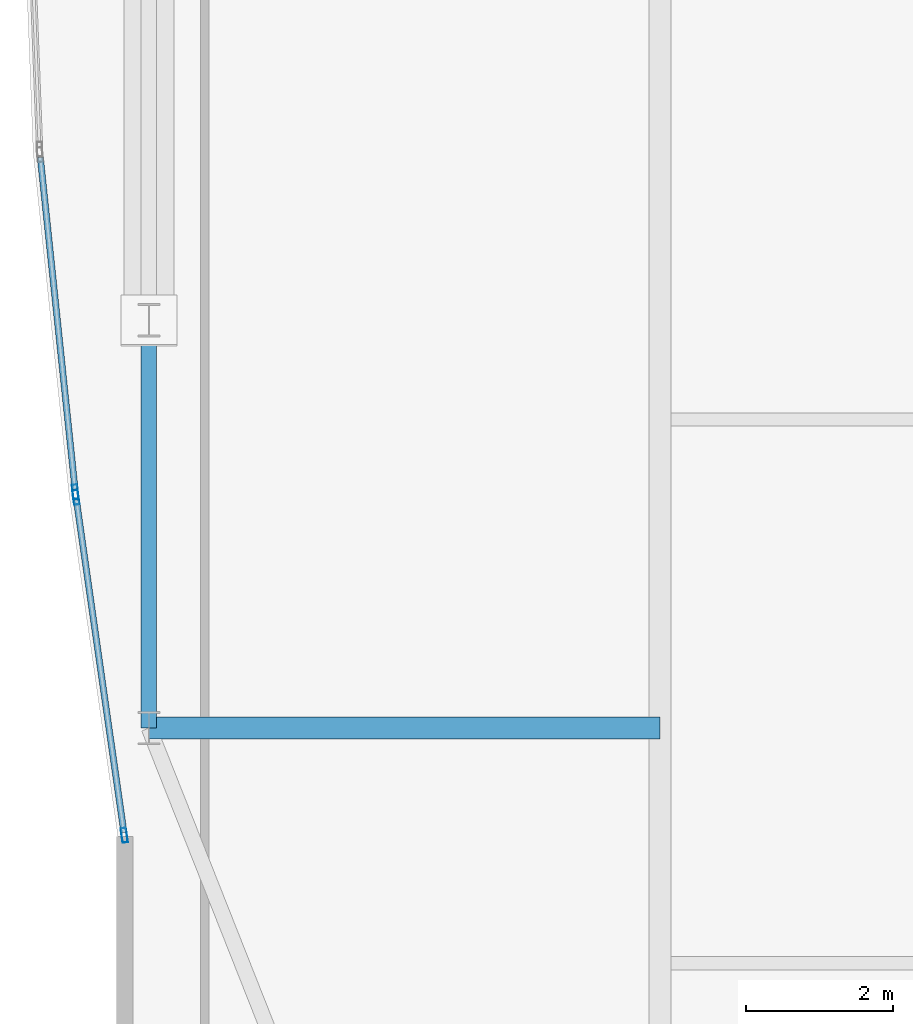
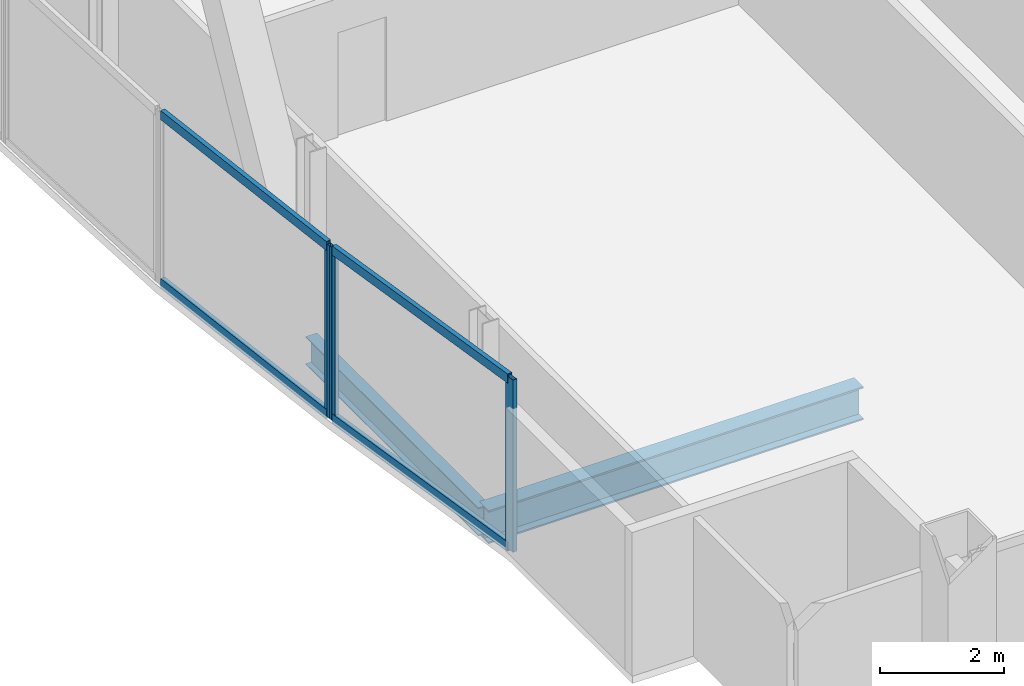
# One storey, part 5 of 29: 7 members, 2 beams, 2 elements without a shape of their own.
"""IFC4 building model written with IfcOpenShell, lengths in metres."""

from ifc_helpers import new_model, si_unit, direction, frame, origin, origin_2d, place, context, subcontext, project, spatial, hollow_rectangle, i_section, extrude, material, material_profile, profile_set, type_object, element, aggregate, save


model = new_model("IFC4")

# Units and contexts
model_context = context("Model", 3, precision=1e-05, world=origin(), true_north=direction((0.0, 1.0)))
body_context = subcontext(model_context, "Body", "Model", "MODEL_VIEW")
ifc_project = project(units=[si_unit("LENGTHUNIT", "METRE"), si_unit("AREAUNIT", "SQUARE_METRE"), si_unit("VOLUMEUNIT", "CUBIC_METRE"), si_unit("PLANEANGLEUNIT", "RADIAN"), si_unit("MASSUNIT", "GRAM", prefix="KILO")], contexts=[model_context])

# Site, building, storey
site_placement = place(None, origin())
site = spatial("IfcSite", under=ifc_project, at=site_placement, CompositionType="ELEMENT")
building_placement = place(site_placement, origin())
building = spatial("IfcBuilding", under=site, at=building_placement, Name="Khoronbel Lancet Exchange", CompositionType="ELEMENT")
storey_placement = place(building_placement, frame((0.0, 0.0, 302.199951171875)))
storey = spatial("IfcBuildingStorey", under=building, at=storey_placement, Name="L78", CompositionType="ELEMENT", Elevation=302.199951171875)

# Beams
ifc_material_1 = material(Name="Steel S355", Category="steel")
ifc_material_profile_1 = material_profile(ifc_material_1, i_section(OverallWidth=0.300048828125, OverallDepth=0.64990234375, WebThickness=0.01611328125, FlangeThickness=0.031005859375, at=origin_2d()), Name="HEB 650")
ifc_profile_set_1 = profile_set([ifc_material_profile_1], Name="Steel S355")
beam_type_1 = type_object("IfcBeamType", Name="BM-BG4", PredefinedType="BEAM", material=ifc_profile_set_1)
beam_1_placement = place(storey_placement, frame((11.27001953125, 19.199951171875, -0.48486328125), z_axis=(1.0, 0.0, 0.0), x_axis=(0.0, 1.0, 0.0)))
element("IfcBeam", 1, at=beam_1_placement, inside=storey, type_object=beam_type_1, Name="Level L78 west lens tie girder LG1W", PredefinedType="BEAM", context=body_context, shape_type="SweptSolid", body=[
    extrude(i_section(OverallWidth=0.300048828125, OverallDepth=0.64990234375, WebThickness=0.01611328125, FlangeThickness=0.031005859375, at=origin_2d()), origin(), (0.0, 0.0, 1.0), 6.955078125),
])
ifc_material_profile_2 = material_profile(ifc_material_1, i_section(OverallWidth=0.2099609375, OverallDepth=0.550048828125, WebThickness=0.010986328125, FlangeThickness=0.01708984375, at=origin_2d()), Name="IPE 550")
ifc_profile_set_2 = profile_set([ifc_material_profile_2], Name="Steel S355")
beam_type_2 = type_object("IfcBeamType", Name="BM-BSP3", PredefinedType="SPANDREL", material=ifc_profile_set_2)
beam_2_placement = place(storey_placement, frame((11.27001953125, 24.75, -0.43505859375), z_axis=(0.0, -1.0, 0.0), x_axis=(1.0, 0.0, 0.0)))
element("IfcBeam", 2, at=beam_2_placement, inside=storey, type_object=beam_type_2, Name="Level L78 perimeter spandrel beam SP20", PredefinedType="SPANDREL", context=body_context, shape_type="SweptSolid", body=[
    extrude(i_section(OverallWidth=0.2099609375, OverallDepth=0.550048828125, WebThickness=0.010986328125, FlangeThickness=0.01708984375, at=origin_2d()), origin(), (0.0, 0.0, 1.0), 5.550048828125),
])

# Curtain wall, members
ifc_material_2 = material(Name="Low-E Solar Control Insulating Glass", Category="glass")
curtain_wall_type = type_object("IfcCurtainWallType", Name="CW-4", PredefinedType="NOTDEFINED", material=ifc_material_2)
curtain_wall_1_placement = place(storey_placement, origin())
curtain_wall_1 = element("IfcCurtainWall", 3, at=curtain_wall_1_placement, inside=storey, type_object=curtain_wall_type, Name="Unitised curtain wall CW-L78-E04", PredefinedType="NOTDEFINED")
ifc_material_3 = material(Name="Bronze-Anodised Aluminium 6063-T6", Category="aluminium")
ifc_material_profile_3 = material_profile(ifc_material_3, hollow_rectangle(XDim=0.074951171875, YDim=0.199951171875, WallThickness=0.0048828125, at=origin_2d()), Name="ALU MULLION 75x200")
ifc_profile_set_3 = profile_set([ifc_material_profile_3], Name="Bronze-Anodised Aluminium 6063-T6")
member_type_1 = type_object("IfcMemberType", Name="MEM-CWM2", PredefinedType="MULLION", material=ifc_profile_set_3)
member_1_placement = place(storey_placement, frame((10.9345703125, 17.743408203125, 0.0), z_axis=(0.0, 0.0, 1.0), x_axis=(-0.989929988267, -0.141557826802, 0.0)))
member_1 = element("IfcMember", 4, at=member_1_placement, type_object=member_type_1, Name="CW4 mullion 1", PredefinedType="MULLION", context=body_context, shape_type="SweptSolid", body=[
    extrude(hollow_rectangle(XDim=0.074951171875, YDim=0.199951171875, WallThickness=0.0048828125, at=origin_2d()), origin(), (0.0, 0.0, 1.0), 3.380126953125),
])
member_2_placement = place(storey_placement, frame((10.27734375, 22.340576171875, 0.0), z_axis=(0.0, 0.0, 1.0), x_axis=(-0.989929988267, -0.141557826802, 0.0)))
member_2 = element("IfcMember", 5, at=member_2_placement, type_object=member_type_1, Name="CW4 mullion 2", PredefinedType="MULLION", context=body_context, shape_type="SweptSolid", body=[
    extrude(hollow_rectangle(XDim=0.074951171875, YDim=0.199951171875, WallThickness=0.0048828125, at=origin_2d()), origin(), (0.0, 0.0, 1.0), 3.380126953125),
])

# Curtain wall, member
curtain_wall_2_placement = place(storey_placement, origin())
curtain_wall_2 = element("IfcCurtainWall", 6, at=curtain_wall_2_placement, inside=storey, type_object=curtain_wall_type, Name="Unitised curtain wall CW-L78-E05", PredefinedType="NOTDEFINED")
member_3_placement = place(storey_placement, frame((10.26806640625, 22.4150390625, 0.0), z_axis=(0.0, 0.0, 1.0), x_axis=(-0.994563630588, -0.104130613712, 0.0)))
member_3 = element("IfcMember", 7, at=member_3_placement, type_object=member_type_1, Name="CW4 mullion 1", PredefinedType="MULLION", context=body_context, shape_type="SweptSolid", body=[
    extrude(hollow_rectangle(XDim=0.074951171875, YDim=0.199951171875, WallThickness=0.0048828125, at=origin_2d()), origin(), (0.0, 0.0, 1.0), 3.380126953125),
])

# Member
ifc_material_profile_4 = material_profile(ifc_material_3, hollow_rectangle(XDim=0.0849609375, YDim=0.179931640625, WallThickness=0.0048828125, at=origin_2d()), Name="ALU TRANSOM 85x180")
ifc_profile_set_4 = profile_set([ifc_material_profile_4], Name="Bronze-Anodised Aluminium 6063-T6")
member_type_2 = type_object("IfcMemberType", Name="MEM-CWT1", PredefinedType="USERDEFINED", material=ifc_profile_set_4)
member_4_placement = place(storey_placement, frame((10.929443359375, 17.78076171875, 0.04248046875), z_axis=(-0.141556017505, 0.989930246991, 0.0), x_axis=(-0.989930246991, -0.141556017505, 0.0)))
member_4 = element("IfcMember", 8, at=member_4_placement, type_object=member_type_2, Name="CW4 transom 1.1", ObjectType="TRANSOM", PredefinedType="USERDEFINED", context=body_context, shape_type="SweptSolid", body=[
    extrude(hollow_rectangle(XDim=0.0849609375, YDim=0.179931640625, WallThickness=0.0048828125, at=origin_2d()), origin(), (0.0, 0.0, 1.0), 4.568603515625),
])

member_5_placement = place(storey_placement, frame((10.929443359375, 17.78076171875, 3.337646484375), z_axis=(-0.141556017505, 0.989930246991, 0.0), x_axis=(-0.989930246991, -0.141556017505, 0.0)))
member_5 = element("IfcMember", 9, at=member_5_placement, type_object=member_type_2, Name="CW4 transom 1.2", ObjectType="TRANSOM", PredefinedType="USERDEFINED", context=body_context, shape_type="SweptSolid", body=[
    extrude(hollow_rectangle(XDim=0.0849609375, YDim=0.179931640625, WallThickness=0.0048828125, at=origin_2d()), origin(), (0.0, 0.0, 1.0), 4.568603515625),
])

aggregate(curtain_wall_1, [member_1, member_2, member_4, member_5])

member_6_placement = place(storey_placement, frame((10.26416015625, 22.452392578125, 0.04248046875), z_axis=(-0.104116184177, 0.994565141251, 0.0), x_axis=(-0.994565141251, -0.104116184177, 0.0)))
member_6 = element("IfcMember", 10, at=member_6_placement, type_object=member_type_2, Name="CW4 transom 1.1", ObjectType="TRANSOM", PredefinedType="USERDEFINED", context=body_context, shape_type="SweptSolid", body=[
    extrude(hollow_rectangle(XDim=0.0849609375, YDim=0.179931640625, WallThickness=0.0048828125, at=origin_2d()), origin(), (0.0, 0.0, 1.0), 4.537353515625),
])

member_7_placement = place(storey_placement, frame((10.26416015625, 22.452392578125, 3.337646484375), z_axis=(-0.104116184177, 0.994565141251, 0.0), x_axis=(-0.994565141251, -0.104116184177, 0.0)))
member_7 = element("IfcMember", 11, at=member_7_placement, type_object=member_type_2, Name="CW4 transom 1.2", ObjectType="TRANSOM", PredefinedType="USERDEFINED", context=body_context, shape_type="SweptSolid", body=[
    extrude(hollow_rectangle(XDim=0.0849609375, YDim=0.179931640625, WallThickness=0.0048828125, at=origin_2d()), origin(), (0.0, 0.0, 1.0), 4.537353515625),
])

aggregate(curtain_wall_2, [member_3, member_6, member_7])

save(model, "model.ifc")
